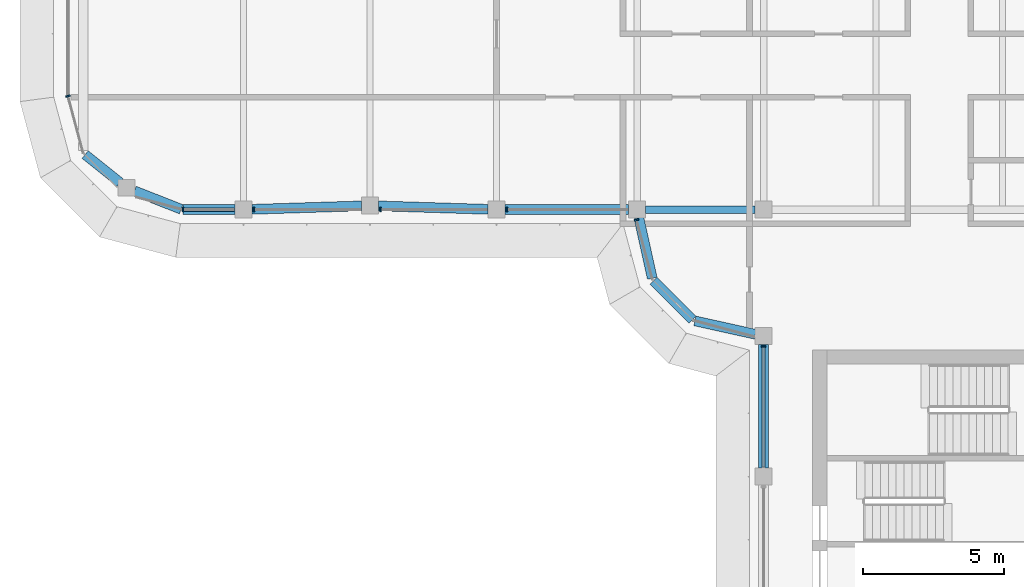
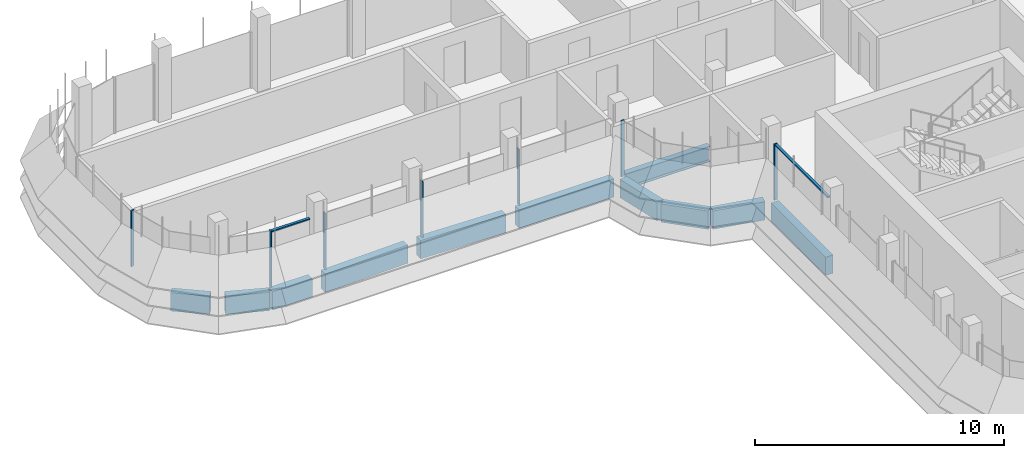
# One storey, part 3 of 19: 11 beams, 9 members, 4 elements without a shape of their own.
"""IFC4 building model written with IfcOpenShell, lengths in metres."""

import ifcopenshell
import ifcopenshell.guid

model = None  # the IFC model being written
_history = None  # IfcOwnerHistory: only IFC2X3 demands one
_inside = {}  # id of a spatial element -> (the spatial element, [elements in it])
_under = {}  # id of a project, library or spatial element -> (it, [spatial elements below it])
_declared = {}  # id of a project -> (the project, [libraries it declares])
_typed = {}  # id of a type object -> (the type object, [elements of that type])
_made_of = {}  # id of a material, layer set ... -> (it, [elements and type objects made of it])


def new_model(schema):
    """Start an empty IFC model of exactly this schema.

    Asked for "IFC4X3", IfcOpenShell would pick the latest addendum, in which some entities
    have other attributes; the version numbers below select the first issue.
    IFC2X3 requires an IfcOwnerHistory on every rooted entity: one is made here for all.
    """
    global model, _history
    if schema == "IFC4X3":
        model = ifcopenshell.file(schema_version=(4, 3, 0, 0))
    else:
        model = ifcopenshell.file(schema=schema)
    _inside.clear()
    _under.clear()
    _declared.clear()
    _typed.clear()
    _made_of.clear()
    _history = None
    if model.schema == "IFC2X3":
        org = make("IfcOrganization", Name="unknown")
        user = make(
            "IfcPersonAndOrganization",
            ThePerson=make("IfcPerson", FamilyName="unknown"),
            TheOrganization=org,
        )
        app = make(
            "IfcApplication",
            ApplicationDeveloper=org,
            Version="unknown",
            ApplicationFullName="unknown",
            ApplicationIdentifier="unknown",
        )
        _history = make(
            "IfcOwnerHistory",
            OwningUser=user,
            OwningApplication=app,
            ChangeAction="ADDED",
            CreationDate=0,
        )
    return model


def make(cls, **values):
    """One entity of the class cls with the attributes given. An attribute that is None is left unset."""
    return model.create_entity(
        cls, **{name: value for name, value in values.items() if value is not None}
    )


def rooted(cls, **values):
    """An entity with a GlobalId (a new one), such as an element, a storey or a relation."""
    return make(cls, GlobalId=ifcopenshell.guid.new(), OwnerHistory=_history, **values)


def si_unit(unit_type, name, prefix=None):
    """IfcSIUnit, for example si_unit("LENGTHUNIT", "METRE", prefix="MILLI")."""
    return make("IfcSIUnit", UnitType=unit_type, Prefix=prefix, Name=name)


def assignment(units):
    """IfcUnitAssignment: the units of a project."""
    return None if units is None else make("IfcUnitAssignment", Units=units)


def point(xyz):
    """IfcCartesianPoint."""
    return None if xyz is None else make("IfcCartesianPoint", Coordinates=xyz)


def direction(xyz):
    """IfcDirection."""
    return None if xyz is None else make("IfcDirection", DirectionRatios=xyz)


def frame(location, z_axis=None, x_axis=None):
    """IfcAxis2Placement3D, a coordinate frame: its origin and axes. An axis left out is left unset."""
    return make(
        "IfcAxis2Placement3D",
        Location=point(location),
        Axis=direction(z_axis),
        RefDirection=direction(x_axis),
    )


def frame_2d(location, x_axis=None):
    """IfcAxis2Placement2D, a coordinate frame in the plane: its origin and x axis."""
    return make(
        "IfcAxis2Placement2D", Location=point(location), RefDirection=direction(x_axis)
    )


def origin():
    """The frame at (0, 0, 0) with its axes left unset."""
    return frame((0.0, 0.0, 0.0))


def origin_2d():
    """The frame at (0, 0) in the plane with its x axis left unset."""
    return frame_2d((0.0, 0.0))


def place(relative_to, where):
    """IfcLocalPlacement: puts the frame where relative to a parent placement (None: the world)."""
    return make(
        "IfcLocalPlacement", PlacementRelTo=relative_to, RelativePlacement=where
    )


def context(
    kind, dimensions, precision=None, world=None, true_north=None, identifier=None
):
    """IfcGeometricRepresentationContext, for example the 3D "Model" context."""
    return make(
        "IfcGeometricRepresentationContext",
        ContextIdentifier=identifier,
        ContextType=kind,
        CoordinateSpaceDimension=dimensions,
        Precision=precision,
        WorldCoordinateSystem=world,
        TrueNorth=true_north,
    )


def subcontext(parent, identifier, kind, view, scale=None):
    """IfcGeometricRepresentationSubContext, for example "Body" below "Model"."""
    return make(
        "IfcGeometricRepresentationSubContext",
        ContextIdentifier=identifier,
        ContextType=kind,
        ParentContext=parent,
        TargetScale=scale,
        TargetView=view,
    )


def project(units=None, contexts=None):
    """IfcProject with its units and contexts."""
    return rooted(
        "IfcProject",
        Name="project",
        RepresentationContexts=contexts,
        UnitsInContext=assignment(units),
    )


def spatial(cls, under=None, at=None, **own):
    """A site, building, storey or space (cls), placed at a placement, below another one or the project."""
    s = rooted(cls, ObjectPlacement=at, **own)
    if under is not None:
        _under.setdefault(under.id(), (under, []))[1].append(s)
    return s


def polyline(points):
    """IfcPolyline through the points."""
    return make("IfcPolyline", Points=[point(p) for p in points])


def profile(cls, at=None, kind="AREA", **sizes):
    """A parametric profile (cls). Its sizes go by their IFC names, for example OverallWidth=200.0."""
    return make(cls, ProfileType=kind, Position=at, **sizes)


def rectangle(**sizes):
    """IfcRectangleProfileDef."""
    return profile("IfcRectangleProfileDef", **sizes)


def i_section(**sizes):
    """IfcIShapeProfileDef."""
    return profile("IfcIShapeProfileDef", **sizes)


def outline(outer, holes=None, kind="AREA"):
    """IfcArbitraryClosedProfileDef: a profile drawn as a closed curve; with holes, ...WithVoids."""
    if holes is None:
        return make("IfcArbitraryClosedProfileDef", ProfileType=kind, OuterCurve=outer)
    return make(
        "IfcArbitraryProfileDefWithVoids",
        ProfileType=kind,
        OuterCurve=outer,
        InnerCurves=holes,
    )


def extrude(swept, where, along, depth):
    """IfcExtrudedAreaSolid: the profile swept, set in the frame where, extruded along a direction by depth."""
    return make(
        "IfcExtrudedAreaSolid",
        SweptArea=swept,
        Position=where,
        ExtrudedDirection=direction(along),
        Depth=depth,
    )


def shape(context_of_items, identifier, shape_type, items):
    """IfcShapeRepresentation: the items that make up one representation, for example the "Body"."""
    return make(
        "IfcShapeRepresentation",
        ContextOfItems=context_of_items,
        RepresentationIdentifier=identifier,
        RepresentationType=shape_type,
        Items=items,
    )


def source(mapping_origin, context_of_items, identifier, shape_type, items):
    """IfcRepresentationMap: a shape defined once, which mapped items show again and again."""
    return make(
        "IfcRepresentationMap",
        MappingOrigin=mapping_origin,
        MappedRepresentation=shape(context_of_items, identifier, shape_type, items),
    )


def transform(
    local_origin,
    x_axis=None,
    y_axis=None,
    z_axis=None,
    scale=None,
    scale2=None,
    scale3=None,
    uniform=True,
):
    """IfcCartesianTransformationOperator3D, or its non-uniform kind. x_axis, y_axis, z_axis: its Axis1, 2, 3."""
    if uniform:
        return make(
            "IfcCartesianTransformationOperator3D",
            Axis1=direction(x_axis),
            Axis2=direction(y_axis),
            LocalOrigin=point(local_origin),
            Scale=scale,
            Axis3=direction(z_axis),
        )
    return make(
        "IfcCartesianTransformationOperator3DnonUniform",
        Axis1=direction(x_axis),
        Axis2=direction(y_axis),
        LocalOrigin=point(local_origin),
        Scale=scale,
        Axis3=direction(z_axis),
        Scale2=scale2,
        Scale3=scale3,
    )


def mapped(mapping_source, mapping_target):
    """IfcMappedItem: shows the shape of a source again, moved by a transform."""
    return make(
        "IfcMappedItem", MappingSource=mapping_source, MappingTarget=mapping_target
    )


def material(Name=None, Category=None):
    """IfcMaterial."""
    return make("IfcMaterial", Name=Name, Category=Category)


def material_profile(
    of_material, cross_section, Name=None, Category=None, Priority=None
):
    """IfcMaterialProfile: a cross section and its material."""
    return make(
        "IfcMaterialProfile",
        Name=Name,
        Material=of_material,
        Profile=cross_section,
        Priority=Priority,
        Category=Category,
    )


def profile_set(profiles, Name=None, composite=None):
    """IfcMaterialProfileSet."""
    return make(
        "IfcMaterialProfileSet",
        Name=Name,
        MaterialProfiles=profiles,
        CompositeProfile=composite,
    )


def made_of(thing, what):
    """Note that an element or type object is made of a material, layer set ...; save() writes the relation."""
    if what is not None:
        _made_of.setdefault(what.id(), (what, []))[1].append(thing)
    return thing


def type_object(cls, material=None, **own):
    """A type object (cls), such as IfcWallType, which elements share."""
    return made_of(rooted(cls, **own), material)


def element(
    cls,
    number,
    at=None,
    inside=None,
    cuts=None,
    type_object=None,
    material=None,
    context=None,
    identifier="Body",
    shape_type=None,
    held_by="IfcProductDefinitionShape",
    body=None,
    shapes=None,
    **own,
):
    """One element of the class cls, such as IfcWall. Its Tag is "e" and its number.

    at: its placement. inside: the storey or other place that contains it. cuts: it is an
    opening in that element (IfcRelVoidsElement). A single representation is given by context,
    identifier, shape_type and body (its items); several are given by shapes. held_by: the class
    of the entity that holds the representations. save() writes the other relations.
    """
    e = rooted(cls, Tag="e%d" % number, ObjectPlacement=at, **own)
    if body is not None:
        shapes = [shape(context, identifier, shape_type, body)]
    if shapes is not None:
        e.Representation = make(held_by, Representations=shapes)
    if inside is not None:
        _inside.setdefault(inside.id(), (inside, []))[1].append(e)
    if cuts is not None:
        rooted(
            "IfcRelVoidsElement", RelatingBuildingElement=cuts, RelatedOpeningElement=e
        )
    if type_object is not None:
        _typed.setdefault(type_object.id(), (type_object, []))[1].append(e)
    return made_of(e, material)


def aggregate(whole, parts):
    """IfcRelAggregates: a whole, such as a stair, and the parts it consists of."""
    return rooted("IfcRelAggregates", RelatingObject=whole, RelatedObjects=parts)


def save(model, path):
    """Write the relations noted so far, then the file.

    IfcRelAggregates (storeys below a building ...), IfcRelContainedInSpatialStructure (elements
    in a storey), IfcRelDefinesByType, IfcRelAssociatesMaterial and IfcRelDeclares: one each for
    every whole, place, type object, material and project.
    """
    for whole, parts in _under.values():
        aggregate(whole, parts)
    for where, things in _inside.values():
        rooted(
            "IfcRelContainedInSpatialStructure",
            RelatedElements=things,
            RelatingStructure=where,
        )
    for kind, things in _typed.values():
        rooted("IfcRelDefinesByType", RelatedObjects=things, RelatingType=kind)
    for what, things in _made_of.values():
        rooted("IfcRelAssociatesMaterial", RelatedObjects=things, RelatingMaterial=what)
    for by, libraries in _declared.values():
        rooted("IfcRelDeclares", RelatingContext=by, RelatedDefinitions=libraries)
    model.write(path)


model = new_model("IFC4")

# Units and contexts
model_context = context("Model", 3, precision=1e-05, world=origin(), true_north=direction((0.0, 1.0)))
body_context = subcontext(model_context, "Body", "Model", "MODEL_VIEW")
ifc_project = project(units=[si_unit("LENGTHUNIT", "METRE"), si_unit("AREAUNIT", "SQUARE_METRE"), si_unit("VOLUMEUNIT", "CUBIC_METRE"), si_unit("PLANEANGLEUNIT", "RADIAN"), si_unit("MASSUNIT", "GRAM", prefix="KILO")], contexts=[model_context])

# Site, building, storey
site_placement = place(None, origin())
site = spatial("IfcSite", under=ifc_project, at=site_placement, CompositionType="ELEMENT")
building_placement = place(site_placement, origin())
building = spatial("IfcBuilding", under=site, at=building_placement, Name="Zarbagh Exchange Tower", CompositionType="ELEMENT")
storey_placement = place(building_placement, frame((0.0, 0.0, 276.39990234375)))
storey = spatial("IfcBuildingStorey", under=building, at=storey_placement, Name="L68", CompositionType="ELEMENT", Elevation=276.39990234375)

# Beams
ifc_material_1 = material(Name="Steel ASTM A992 Gr 50", Category="steel")
ifc_material_profile_1 = material_profile(ifc_material_1, i_section(OverallWidth=0.2666015625, OverallDepth=0.7568359375, WebThickness=0.013916015625, FlangeThickness=0.019287109375, at=origin_2d()), Name="W30X108")
ifc_profile_set_1 = profile_set([ifc_material_profile_1], Name="Steel ASTM A992 Gr 50")
beam_type_1 = type_object("IfcBeamType", Name="Floor girder W30X108", PredefinedType="BEAM", material=ifc_profile_set_1)
beam_1_placement = place(storey_placement, frame((-10.449951171875, -6.25, -0.5283203125), z_axis=(1.0, 0.0, 0.0), x_axis=(0.0, 1.0, 0.0)))
element("IfcBeam", 1, at=beam_1_placement, inside=storey, type_object=beam_type_1, Name="Steel girder", PredefinedType="BEAM", context=body_context, shape_type="SweptSolid", body=[
    extrude(i_section(OverallWidth=0.2666015625, OverallDepth=0.7568359375, WebThickness=0.013916015625, FlangeThickness=0.019287109375, at=origin_2d()), origin(), (0.0, 0.0, 1.0), 3.89990234375),
])
ifc_material_2 = material(Name="Concrete C40/50", Category="concrete")
ifc_material_profile_2 = material_profile(ifc_material_2, rectangle(XDim=0.35009765625, YDim=0.89990234375, at=origin_2d()), Name="RC spandrel beam 350 x 900 C40/50")
ifc_profile_set_2 = profile_set([ifc_material_profile_2], Name="Concrete C40/50")
beam_type_2 = type_object("IfcBeamType", Name="RC spandrel beam 350 x 900 C40/50", PredefinedType="SPANDREL", material=ifc_profile_set_2)
beam_2_placement = place(storey_placement, frame((-6.25, -15.449951171875, -0.599853515625), z_axis=(0.0, 1.0, 0.0), x_axis=(-1.0, 0.0, 0.0)))
element("IfcBeam", 2, at=beam_2_placement, inside=storey, type_object=beam_type_2, Name="RC spandrel beam", PredefinedType="SPANDREL", context=body_context, shape_type="SweptSolid", body=[
    extrude(rectangle(XDim=0.35009765625, YDim=0.89990234375, at=origin_2d()), origin(), (0.0, 0.0, 1.0), 4.39990234375),
])
beam_3_placement = place(storey_placement, frame((-6.54296875, -10.685302734375, -0.599853515625), z_axis=(-0.976387662047, 0.216025770228, 0.0), x_axis=(-0.216025770228, -0.976387662047, 0.0)))
element("IfcBeam", 3, at=beam_3_placement, inside=storey, type_object=beam_type_2, Name="RC spandrel beam", PredefinedType="SPANDREL", context=body_context, shape_type="SweptSolid", body=[
    extrude(rectangle(XDim=0.35009765625, YDim=0.89990234375, at=origin_2d()), origin(), (0.0, 0.0, 1.0), 2.200439453125),
])
beam_4_placement = place(storey_placement, frame((-8.77734375, -10.16259765625, -0.599853515625), z_axis=(-0.707106781187, 0.707106781187, 0.0), x_axis=(-0.707106781187, -0.707106781187, 0.0)))
element("IfcBeam", 4, at=beam_4_placement, inside=storey, type_object=beam_type_2, Name="RC spandrel beam", PredefinedType="SPANDREL", context=body_context, shape_type="SweptSolid", body=[
    extrude(rectangle(XDim=0.35009765625, YDim=0.89990234375, at=origin_2d()), origin(), (0.0, 0.0, 1.0), 1.958984375),
])
beam_5_placement = place(storey_placement, frame((-10.2099609375, -8.69140625, -0.599853515625), z_axis=(-0.216025770228, 0.976387662047, 0.0), x_axis=(-0.976387662047, -0.216025770228, 0.0)))
element("IfcBeam", 5, at=beam_5_placement, inside=storey, type_object=beam_type_2, Name="RC spandrel beam", PredefinedType="SPANDREL", context=body_context, shape_type="SweptSolid", body=[
    extrude(rectangle(XDim=0.35009765625, YDim=0.89990234375, at=origin_2d()), origin(), (0.0, 0.0, 1.0), 2.200439453125),
])
beam_6_placement = place(storey_placement, frame((-11.050048828125, -6.25, -0.599853515625), z_axis=(-1.0, 0.0, 0.0), x_axis=(0.0, -1.0, 0.0)))
element("IfcBeam", 6, at=beam_6_placement, inside=storey, type_object=beam_type_2, Name="RC spandrel beam", PredefinedType="SPANDREL", context=body_context, shape_type="SweptSolid", body=[
    extrude(rectangle(XDim=0.35009765625, YDim=0.89990234375, at=origin_2d()), origin(), (0.0, 0.0, 1.0), 4.39990234375),
])
for number, where, z_axis, x_axis, name in (
    (7, (-16.0498046875, -6.24072265625, -0.599853515625), (-0.999516460907, 0.031094121249, 0.0), (-0.031094121249, -0.999516460907, 0.0), "RC spandrel beam"),
    (8, (-20.5498046875, -6.119384765625, -0.599853515625), (-0.999516460907, -0.031094121249, 0.0), (0.031094121249, -0.999516460907, 0.0), "RC spandrel beam"),
):
    element("IfcBeam", number, at=place(storey_placement, frame(where, z_axis=z_axis, x_axis=x_axis)), inside=storey, type_object=beam_type_2, Name=name, PredefinedType="SPANDREL", context=body_context, shape_type="SweptSolid", body=[
        extrude(rectangle(XDim=0.35009765625, YDim=0.89990234375, at=origin_2d()), origin(), (0.0, 0.0, 1.0), 3.90234375),
    ])
beam_7_placement = place(storey_placement, frame((-25.050048828125, -6.25, -0.599853515625), z_axis=(-1.0, 0.0, 0.0), x_axis=(0.0, -1.0, 0.0)))
element("IfcBeam", 9, at=beam_7_placement, inside=storey, type_object=beam_type_2, Name="RC spandrel beam", PredefinedType="SPANDREL", context=body_context, shape_type="SweptSolid", body=[
    extrude(rectangle(XDim=0.35009765625, YDim=0.89990234375, at=origin_2d()), origin(), (0.0, 0.0, 1.0), 1.850830078125),
])
beam_8_placement = place(storey_placement, frame((-26.965087890625, -6.23779296875, -0.599853515625), z_axis=(-0.930859366381, 0.365377667655, 0.0), x_axis=(-0.365377667655, -0.930859366381, 0.0)))
element("IfcBeam", 10, at=beam_8_placement, inside=storey, type_object=beam_type_2, Name="RC spandrel beam", PredefinedType="SPANDREL", context=body_context, shape_type="SweptSolid", body=[
    extrude(rectangle(XDim=0.35009765625, YDim=0.89990234375, at=origin_2d()), origin(), (0.0, 0.0, 1.0), 1.787353515625),
])
beam_9_placement = place(storey_placement, frame((-29.14208984375, -5.28759765625, -0.599853515625), z_axis=(-0.780584122498, 0.625050740104, 0.0), x_axis=(-0.625050740104, -0.780584122498, 0.0)))
element("IfcBeam", 11, at=beam_9_placement, inside=storey, type_object=beam_type_2, Name="RC spandrel beam", PredefinedType="SPANDREL", context=body_context, shape_type="SweptSolid", body=[
    extrude(rectangle(XDim=0.35009765625, YDim=0.89990234375, at=origin_2d()), origin(), (0.0, 0.0, 1.0), 1.590087890625),
])

# Curtain wall, member
ifc_material_3 = material(Name="Anodised aluminium frame and glazing", Category="aluminium")
curtain_wall_type = type_object("IfcCurtainWallType", Name="CWB Ribbon glazing, upper zones", PredefinedType="NOTDEFINED", material=ifc_material_3)
curtain_wall_1_placement = place(storey_placement, origin())
curtain_wall_1 = element("IfcCurtainWall", 12, at=curtain_wall_1_placement, inside=storey, type_object=curtain_wall_type, Name="CWB62 curtain wall", PredefinedType="NOTDEFINED")
ifc_material_4 = material(Name="Anodised aluminium frame", Category="aluminium")
member_type_1 = type_object("IfcMemberType", Name="MUB Mullion, anodised aluminium frame", PredefinedType="MULLION", material=ifc_material_4)
shared_shape_1 = source(origin(), body_context, "Body", "SweptSolid", [
    extrude(outline(polyline([(0.0, -0.080078125), (0.06005859375, -0.080078125), (0.06005859375, 0.080078125), (0.0, 0.080078125), (0.0, -0.080078125)])), origin(), (0.0, 0.0, 1.0), 2.75),
])
placement = place(storey_placement, origin())
member_1 = element("IfcMember", 13, at=placement, type_object=member_type_1, Name="CWB62 mullion 1.1", PredefinedType="MULLION", context=body_context, shape_type="MappedRepresentation", body=[
    mapped(shared_shape_1, transform((-31.0, -2.18408203125, 0.0), x_axis=(0.258824779902, -0.965924289636, 0.0), y_axis=(0.965924289636, 0.258824779902, 0.0), z_axis=(0.0, 0.0, 1.0))),
])
aggregate(curtain_wall_1, [member_1])

# Curtain wall, members
curtain_wall_2_placement = place(storey_placement, origin())
curtain_wall_2 = element("IfcCurtainWall", 14, at=curtain_wall_2_placement, inside=storey, type_object=curtain_wall_type, Name="CWB65 curtain wall", PredefinedType="NOTDEFINED")
member_2 = element("IfcMember", 15, at=placement, type_object=member_type_1, Name="CWB65 mullion 1.1", PredefinedType="MULLION", context=body_context, shape_type="MappedRepresentation", body=[
    mapped(shared_shape_1, transform((-26.93408203125, -6.25, 0.0), x_axis=(1.0, 0.0, 0.0), y_axis=(0.0, 1.0, 0.0), z_axis=(0.0, 0.0, 1.0))),
])
member_3 = element("IfcMember", 16, at=placement, type_object=member_type_1, Name="CWB65 mullion 2.1", PredefinedType="MULLION", context=body_context, shape_type="MappedRepresentation", body=[
    mapped(shared_shape_1, transform((-24.409912109375, -6.25, 0.0), x_axis=(1.0, 0.0, 0.0), y_axis=(0.0, 1.0, 0.0), z_axis=(0.0, 0.0, 1.0))),
])
member_4 = element("IfcMember", 17, at=placement, type_object=member_type_1, Name="CWB65 mullion 3.1", PredefinedType="MULLION", context=body_context, shape_type="MappedRepresentation", body=[
    mapped(shared_shape_1, transform((-19.909912109375, -6.25, 0.0), x_axis=(1.0, 0.0, 0.0), y_axis=(0.0, 1.0, 0.0), z_axis=(0.0, 0.0, 1.0))),
])
member_5 = element("IfcMember", 18, at=placement, type_object=member_type_1, Name="CWB65 mullion 4.1", PredefinedType="MULLION", context=body_context, shape_type="MappedRepresentation", body=[
    mapped(shared_shape_1, transform((-15.409912109375, -6.25, 0.0), x_axis=(1.0, 0.0, 0.0), y_axis=(0.0, 1.0, 0.0), z_axis=(0.0, 0.0, 1.0))),
])

# Curtain wall, member
curtain_wall_3_placement = place(storey_placement, origin())
curtain_wall_3 = element("IfcCurtainWall", 19, at=curtain_wall_3_placement, inside=storey, type_object=curtain_wall_type, Name="CWB41 curtain wall", PredefinedType="NOTDEFINED")
member_6 = element("IfcMember", 20, at=placement, type_object=member_type_1, Name="CWB41 mullion 1.1", PredefinedType="MULLION", context=body_context, shape_type="MappedRepresentation", body=[
    mapped(shared_shape_1, transform((-10.775146484375, -6.590087890625, 0.0), x_axis=(0.258824779902, -0.965924289636, 0.0), y_axis=(0.965924289636, 0.258824779902, 0.0), z_axis=(0.0, 0.0, 1.0))),
])
aggregate(curtain_wall_3, [member_6])

curtain_wall_4_placement = place(storey_placement, origin())
curtain_wall_4 = element("IfcCurtainWall", 21, at=curtain_wall_4_placement, inside=storey, type_object=curtain_wall_type, Name="CWB53 curtain wall", PredefinedType="NOTDEFINED")
member_7 = element("IfcMember", 22, at=placement, type_object=member_type_1, Name="CWB53 mullion 1.1", PredefinedType="MULLION", context=body_context, shape_type="MappedRepresentation", body=[
    mapped(shared_shape_1, transform((-6.25, -11.090087890625, 0.0), x_axis=(0.0, -1.0, 0.0), y_axis=(1.0, 0.0, 0.0), z_axis=(0.0, 0.0, 1.0))),
])

# Member
member_type_2 = type_object("IfcMemberType", Name="TRB Transom, anodised aluminium frame", PredefinedType="USERDEFINED", material=ifc_material_4)
shared_shape_2 = source(origin(), body_context, "Body", "SweptSolid", [
    extrude(outline(polyline([(-0.06005859375, -0.06005859375), (0.0, -0.06005859375), (0.0, 0.06005859375), (-0.06005859375, 0.06005859375), (-0.06005859375, -0.06005859375)])), origin(), (0.0, 0.0, 1.0), 1.7841796875),
])
member_8 = element("IfcMember", 23, at=placement, type_object=member_type_2, Name="CWB65 transom 1.1", ObjectType="TRANSOM", PredefinedType="USERDEFINED", context=body_context, shape_type="MappedRepresentation", body=[
    mapped(shared_shape_2, transform((-26.874267578125, -6.25, 2.75), x_axis=(0.0, 0.0, 1.0), y_axis=(0.0, -1.0, 0.0), z_axis=(1.0, 0.0, 0.0))),
])

aggregate(curtain_wall_2, [member_2, member_8, member_3, member_4, member_5])

shared_shape_3 = source(origin(), body_context, "Body", "SweptSolid", [
    extrude(outline(polyline([(-0.06005859375, -0.06005859375), (0.0, -0.06005859375), (0.0, 0.06005859375), (-0.06005859375, 0.06005859375), (-0.06005859375, -0.06005859375)])), origin(), (0.0, 0.0, 1.0), 4.260009765625),
])
member_9 = element("IfcMember", 24, at=placement, type_object=member_type_2, Name="CWB53 transom 1.1", ObjectType="TRANSOM", PredefinedType="USERDEFINED", context=body_context, shape_type="MappedRepresentation", body=[
    mapped(shared_shape_3, transform((-6.25, -11.150146484375, 2.75), x_axis=(0.0, 0.0, 1.0), y_axis=(-1.0, 0.0, 0.0), z_axis=(0.0, -1.0, 0.0))),
])

aggregate(curtain_wall_4, [member_7, member_9])

save(model, "model.ifc")
